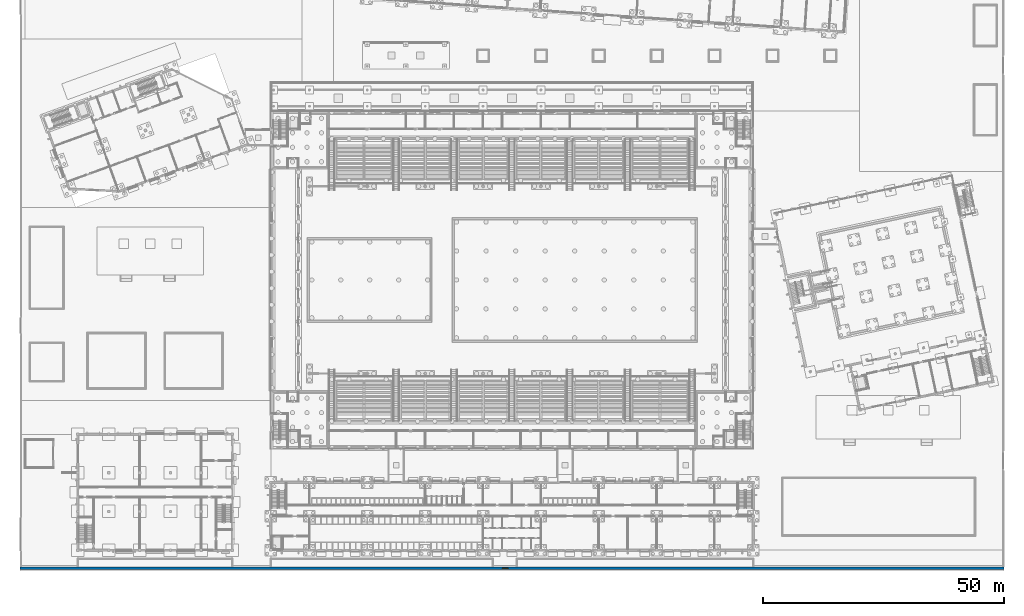
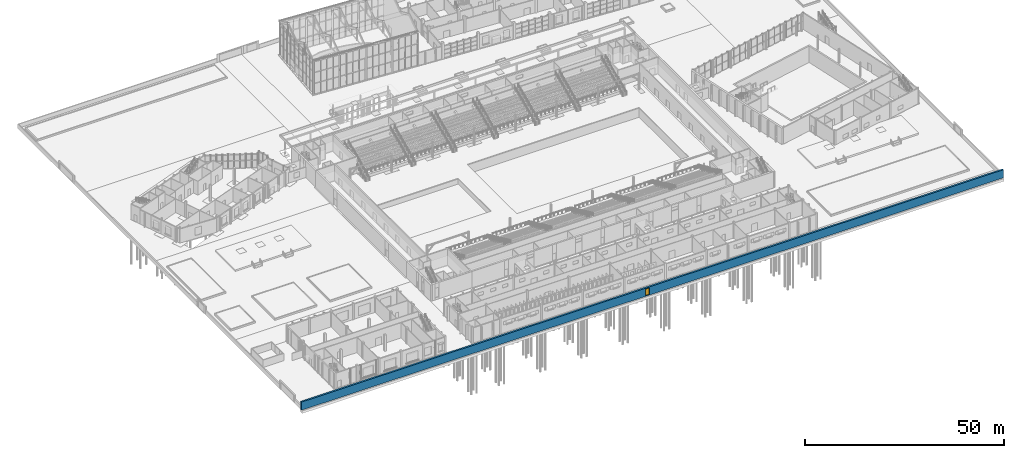
# One storey, part 85 of 157: 1 door, 1 wall, 1 opening.
"""IFC4 building model written with IfcOpenShell, lengths in metres."""

from ifc_helpers import new_model, si_unit, direction, frame, frame_2d, origin, place, context, subcontext, project, spatial, rectangle, extrude, material, layer, layer_set, type_object, element, fill, save


model = new_model("IFC4")

# Units and contexts
model_context = context("Model", 3, precision=1e-05, world=origin(), true_north=direction((0.0, 1.0)))
body_context = subcontext(model_context, "Body", "Model", "MODEL_VIEW")
ifc_project = project(units=[si_unit("LENGTHUNIT", "METRE"), si_unit("AREAUNIT", "SQUARE_METRE"), si_unit("VOLUMEUNIT", "CUBIC_METRE"), si_unit("PLANEANGLEUNIT", "RADIAN"), si_unit("MASSUNIT", "GRAM", prefix="KILO")], contexts=[model_context])

# Site, building, storey
site_placement = place(None, origin())
site = spatial("IfcSite", under=ifc_project, at=site_placement, CompositionType="ELEMENT")
building_placement = place(site_placement, origin())
building = spatial("IfcBuilding", under=site, at=building_placement, Name="Windward Yard Aquatics Centre", CompositionType="ELEMENT")
storey_placement = place(building_placement, origin())
storey = spatial("IfcBuildingStorey", under=building, at=storey_placement, Name="L00", CompositionType="ELEMENT", Elevation=0.0)

# Wall, opening, door
ifc_material_1 = material(Name="Concrete C35/45", Category="concrete")
ifc_layer = layer(ifc_material_1, 0.5)
ifc_layer_set = layer_set([ifc_layer], Name="X Rail Boundary Wall Concrete C35/45 500 x 2400")
wall_type = type_object("IfcWallType", Name="X Rail Boundary Wall Concrete C35/45 500 x 2400", PredefinedType="SOLIDWALL", material=ifc_layer_set)
wall_placement = place(storey_placement, frame((0.0, 1.25, -0.10009765625), z_axis=(0.0, 0.0, 1.0), x_axis=(1.0, 0.0, 0.0)))
wall = element("IfcWall", 1, at=wall_placement, inside=storey, type_object=wall_type, Name="Rail side boundary wall", PredefinedType="SOLIDWALL", context=body_context, shape_type="SweptSolid", body=[
    extrude(rectangle(XDim=204.0, YDim=0.5, at=frame_2d((102.0, 0.0))), origin(), (0.0, 0.0, 1.0), 2.5),
])
opening_placement = place(wall_placement, frame((100.0, 0.0, 0.10009765625)))
opening = element("IfcOpeningElement", 2, at=opening_placement, cuts=wall, Name="Opening X0001", PredefinedType="OPENING", context=body_context, shape_type="SweptSolid", body=[
    extrude(rectangle(XDim=1.199951171875, YDim=2.10009765625, at=frame_2d((0.60009765625, 1.050048828125))), frame((0.0, 0.260009765625, 0.0), z_axis=(0.0, -1.0, 0.0), x_axis=(1.0, 0.0, 0.0)), (0.0, 0.0, 1.0), 0.52001953125),
])
ifc_material_2 = material(Name="Galvanised steel gate leaf", Category="steel")
door_type = type_object("IfcDoorType", Name="X Maintenance Gate Single 1200 x 2100", OperationType="SINGLE_SWING_LEFT", PredefinedType="DOOR", material=ifc_material_2)
door_placement = place(opening_placement, origin())
door = element("IfcDoor", 3, at=door_placement, inside=storey, type_object=door_type, Name="Rail side maintenance gate", OperationType="SINGLE_SWING_LEFT", OverallHeight=2.10009765625, OverallWidth=1.199951171875, PredefinedType="DOOR", context=body_context, shape_type="SweptSolid", body=[
    extrude(rectangle(XDim=1.199951171875, YDim=2.10009765625, at=frame_2d((0.60009765625, 1.050048828125))), frame((0.0, 0.02490234375, 0.0), z_axis=(0.0, -1.0, 0.0), x_axis=(1.0, 0.0, 0.0)), (0.0, 0.0, 1.0), 0.050048828125),
])
fill(opening, door)

save(model, "model.ifc")
